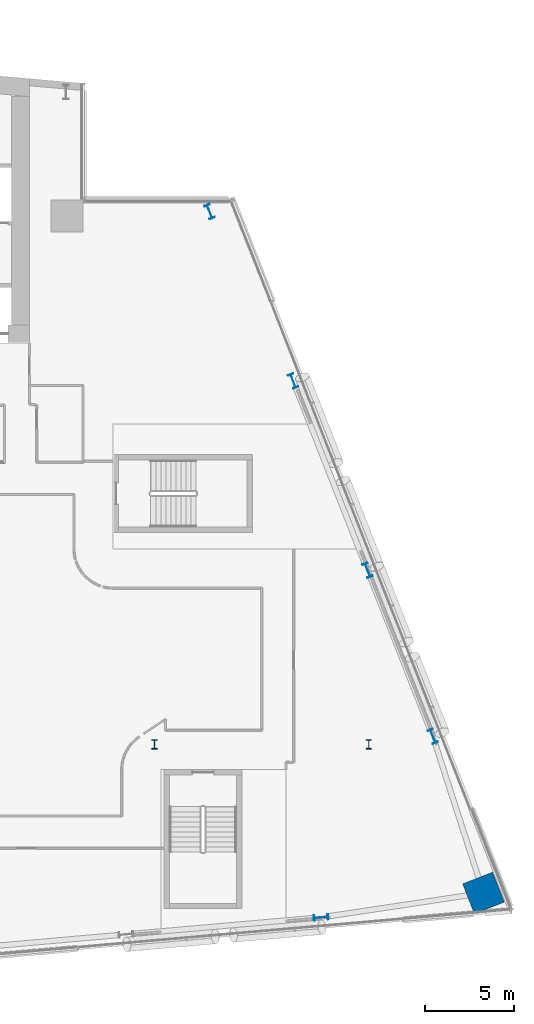
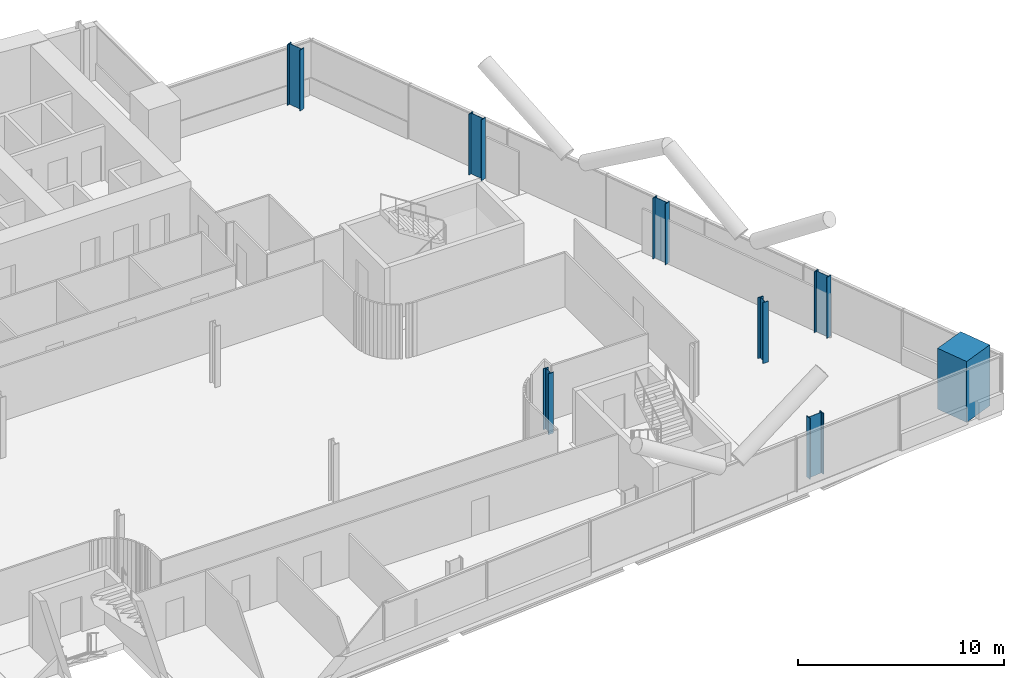
# One storey, part 4 of 31: 8 columns.
"""IFC4 building model written with IfcOpenShell, lengths in metres."""

from ifc_helpers import new_model, si_unit, direction, frame, origin, origin_2d, place, context, subcontext, project, spatial, rectangle, i_section, extrude, material, material_profile, profile_set, type_object, element, save


model = new_model("IFC4")

# Units and contexts
model_context = context("Model", 3, precision=1e-05, world=origin(), true_north=direction((0.0, 1.0)))
body_context = subcontext(model_context, "Body", "Model", "MODEL_VIEW")
ifc_project = project(units=[si_unit("LENGTHUNIT", "METRE"), si_unit("AREAUNIT", "SQUARE_METRE"), si_unit("VOLUMEUNIT", "CUBIC_METRE"), si_unit("PLANEANGLEUNIT", "RADIAN"), si_unit("MASSUNIT", "GRAM", prefix="KILO")], contexts=[model_context])

# Site, building, storey
site_placement = place(None, origin())
site = spatial("IfcSite", under=ifc_project, at=site_placement, CompositionType="ELEMENT")
building_placement = place(site_placement, origin())
building = spatial("IfcBuilding", under=site, at=building_placement, Name="Wharfspan Tower", CompositionType="ELEMENT")
storey_placement = place(building_placement, frame((0.0, 0.0, 103.899902)))
storey = spatial("IfcBuildingStorey", under=building, at=storey_placement, Name="L23", CompositionType="ELEMENT", Elevation=103.899902)

# Columns
ifc_material_1 = material(Name="Steel S355J2", Category="steel")
ifc_material_profile_1 = material_profile(ifc_material_1, i_section(OverallWidth=0.305908, OverallDepth=0.523926, WebThickness=0.020996, FlangeThickness=0.040039, FilletRadius=0.0271, at=origin_2d()))
ifc_profile_set_1 = profile_set([ifc_material_profile_1], Name="Steel S355J2")
column_type_1 = type_object("IfcColumnType", Name="Column HEM 500", PredefinedType="COLUMN", material=ifc_profile_set_1)
for number, where, z_axis, x_axis, name in (
    (1, (72.0, 11.5, 0.0), (0.0, 0.0, 1.0), (1.0, 0.0, 0.0), "Interior column I.1.6 L23"),
    (2, (84.0, 11.5, 0.0), (0.0, 0.0, 1.0), (1.0, 0.0, 0.0), "Interior column I.1.7 L23"),
):
    element("IfcColumn", number, at=place(storey_placement, frame(where, z_axis=z_axis, x_axis=x_axis)), inside=storey, type_object=column_type_1, Name=name, PredefinedType="COLUMN", context=body_context, shape_type="SweptSolid", body=[
        extrude(i_section(OverallWidth=0.305908, OverallDepth=0.523926, WebThickness=0.020996, FlangeThickness=0.040039, FilletRadius=0.0271, at=origin_2d()), origin(), (0.0, 0.0, 1.0), 3.600098),
    ])
ifc_material_profile_2 = material_profile(ifc_material_1, i_section(OverallWidth=0.302979, OverallDepth=0.813965, WebThickness=0.020996, FlangeThickness=0.040039, FilletRadius=0.030029, at=origin_2d()))
ifc_profile_set_2 = profile_set([ifc_material_profile_2], Name="Steel S355J2")
column_type_2 = type_object("IfcColumnType", Name="Column HEM 800", PredefinedType="COLUMN", material=ifc_profile_set_2)
for number, where, z_axis, x_axis, name in (
    (3, (81.327881, 1.80835, 0.0), (0.0, 0.0, 1.0), (0.087156, -0.996198, 0.0), "Perimeter column PS2.3 L23"),
    (4, (87.586914, 11.952393, 0.0), (0.0, 0.0, 1.0), (0.930702, 0.365778, 0.0), "Perimeter column PE.1 L23"),
    (5, (83.932617, 21.250977, 0.0), (0.0, 0.0, 1.0), (0.930702, 0.365778, 0.0), "Perimeter column PE.2 L23"),
    (6, (79.765869, 31.852539, 0.0), (0.0, 0.0, 1.0), (0.930702, 0.365778, 0.0), "Perimeter column PE.3 L23"),
    (7, (75.084961, 41.337646, 0.0), (0.0, 0.0, 1.0), (0.930702, 0.365778, 0.0), "Perimeter column PE.4 L23"),
):
    element("IfcColumn", number, at=place(storey_placement, frame(where, z_axis=z_axis, x_axis=x_axis)), inside=storey, type_object=column_type_2, Name=name, PredefinedType="COLUMN", context=body_context, shape_type="SweptSolid", body=[
        extrude(i_section(OverallWidth=0.302979, OverallDepth=0.813965, WebThickness=0.020996, FlangeThickness=0.040039, FilletRadius=0.030029, at=origin_2d()), origin(), (0.0, 0.0, 1.0), 3.600098),
    ])
ifc_material_2 = material(Name="Concrete C70/85", Category="concrete")
ifc_material_profile_3 = material_profile(ifc_material_2, rectangle(XDim=1.800049, YDim=1.800049, at=origin_2d()))
ifc_profile_set_3 = profile_set([ifc_material_profile_3], Name="Concrete C70/85")
column_type_3 = type_object("IfcColumnType", Name="Mega column 1800 C70/85", PredefinedType="COLUMN", material=ifc_profile_set_3)
column_placement = place(storey_placement, frame((90.427246, 3.174072, 0.0), z_axis=(0.0, 0.0, 1.0), x_axis=(-0.365778, 0.930702, 0.0)))
element("IfcColumn", 8, at=column_placement, inside=storey, type_object=column_type_3, Name="Mega column MC4 L23", PredefinedType="COLUMN", context=body_context, shape_type="SweptSolid", body=[
    extrude(rectangle(XDim=1.800049, YDim=1.800049, at=origin_2d()), origin(), (0.0, 0.0, 1.0), 3.600098),
])

save(model, "model.ifc")
